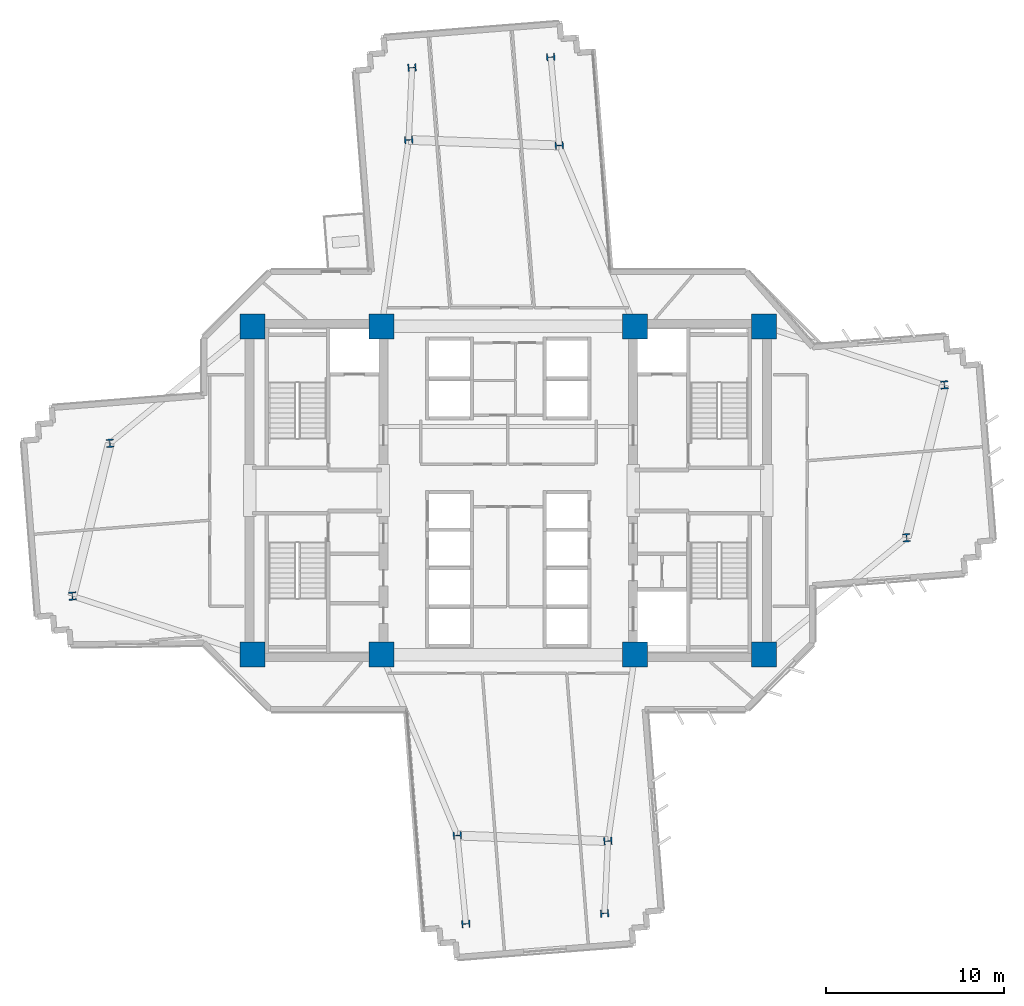
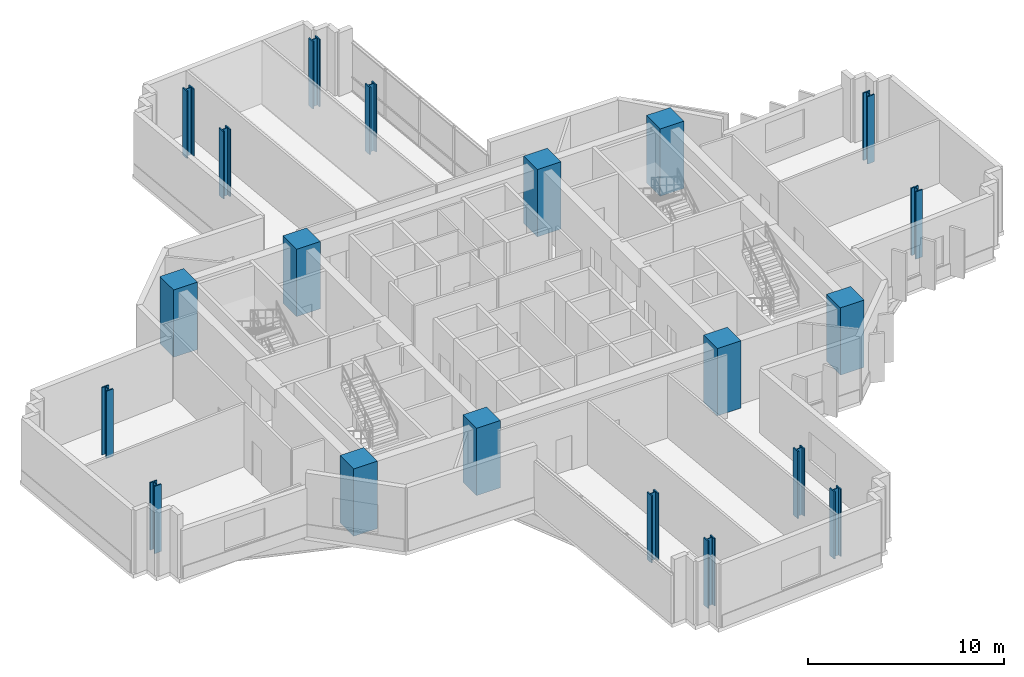
# One storey, part 1 of 15: 20 columns.
"""IFC4 building model written with IfcOpenShell, lengths in metres."""

from ifc_helpers import new_model, si_unit, direction, frame, origin, origin_2d, place, context, subcontext, project, spatial, rectangle, i_section, extrude, source, transform, mapped, material, material_profile, profile_set, type_object, element, save


model = new_model("IFC4")

# Units and contexts
model_context = context("Model", 3, precision=1e-05, world=origin(), true_north=direction((0.0, 1.0)))
body_context = subcontext(model_context, "Body", "Model", "MODEL_VIEW")
ifc_project = project(units=[si_unit("LENGTHUNIT", "METRE"), si_unit("AREAUNIT", "SQUARE_METRE"), si_unit("VOLUMEUNIT", "CUBIC_METRE"), si_unit("PLANEANGLEUNIT", "RADIAN"), si_unit("MASSUNIT", "GRAM", prefix="KILO")], contexts=[model_context])

# Site, building, storey
site_placement = place(None, origin())
site = spatial("IfcSite", under=ifc_project, at=site_placement, CompositionType="ELEMENT")
building_placement = place(site_placement, origin())
building = spatial("IfcBuilding", under=site, at=building_placement, Name="Zahravan Cultural Tower", CompositionType="ELEMENT")
storey_placement = place(building_placement, frame((0.0, 0.0, 83.699951171875)))
storey = spatial("IfcBuildingStorey", under=building, at=storey_placement, Name="L18", CompositionType="ELEMENT", Elevation=83.699951171875)

# Columns
ifc_material_1 = material(Name="Concrete C60/75", Category="concrete")
ifc_material_profile_1 = material_profile(ifc_material_1, rectangle(XDim=1.39990234375, YDim=1.39990234375, at=origin_2d()), Name="RC1400X1400")
ifc_profile_set_1 = profile_set([ifc_material_profile_1], Name="Concrete C60/75")
column_type_1 = type_object("IfcColumnType", Name="COL-RC1400", PredefinedType="COLUMN", material=ifc_profile_set_1)
shared_shape_1 = source(origin(), body_context, "Body", "SweptSolid", [
    extrude(rectangle(XDim=1.39990234375, YDim=1.39990234375, at=origin_2d()), origin(), (0.0, 0.0, 1.0), 4.199951171875),
])
for number, where, z_axis, x_axis, name in (
    (1, (21.64990234375, 17.800048828125, 0.0), (0.0, 0.0, 1.0), (1.0, 0.0, 0.0), "L18 Column CC-W1"),
    (2, (28.89990234375, 17.800048828125, 0.0), (0.0, 0.0, 1.0), (1.0, 0.0, 0.0), "L18 Column CC-W2"),
    (3, (21.64990234375, 36.199951171875, 0.0), (0.0, 0.0, 1.0), (1.0, 0.0, 0.0), "L18 Column CC-W3"),
    (4, (28.89990234375, 36.199951171875, 0.0), (0.0, 0.0, 1.0), (1.0, 0.0, 0.0), "L18 Column CC-W4"),
    (5, (43.10009765625, 17.800048828125, 0.0), (0.0, 0.0, 1.0), (1.0, 0.0, 0.0), "L18 Column CC-E1"),
    (6, (50.35009765625, 17.800048828125, 0.0), (0.0, 0.0, 1.0), (1.0, 0.0, 0.0), "L18 Column CC-E2"),
    (7, (43.10009765625, 36.199951171875, 0.0), (0.0, 0.0, 1.0), (1.0, 0.0, 0.0), "L18 Column CC-E3"),
    (8, (50.35009765625, 36.199951171875, 0.0), (0.0, 0.0, 1.0), (1.0, 0.0, 0.0), "L18 Column CC-E4"),
):
    element("IfcColumn", number, at=place(storey_placement, frame(where, z_axis=z_axis, x_axis=x_axis)), inside=storey, type_object=column_type_1, Name=name, PredefinedType="COLUMN", context=body_context, shape_type="MappedRepresentation", body=[
        mapped(shared_shape_1, transform((0.0, 0.0, 0.0), x_axis=(1.0, 0.0, 0.0), y_axis=(0.0, 1.0, 0.0), z_axis=(0.0, 0.0, 1.0), scale=1.0)),
    ])
ifc_material_2 = material(Name="Steel ASTM A992 Grade 50", Category="steel")
ifc_material_profile_2 = material_profile(ifc_material_2, i_section(OverallWidth=0.4208984375, OverallDepth=0.465087890625, WebThickness=0.044921875, FlangeThickness=0.072509765625, FilletRadius=0.01806640625, at=origin_2d()), Name="W14X398")
ifc_profile_set_2 = profile_set([ifc_material_profile_2], Name="Steel ASTM A992 Grade 50")
column_type_2 = type_object("IfcColumnType", Name="COL-W14X398", PredefinedType="COLUMN", material=ifc_profile_set_2)
shared_shape_2 = source(origin(), body_context, "Body", "SweptSolid", [
    extrude(i_section(OverallWidth=0.4208984375, OverallDepth=0.465087890625, WebThickness=0.044921875, FlangeThickness=0.072509765625, FilletRadius=0.01806640625, at=origin_2d()), origin(), (0.0, 0.0, 1.0), 4.199951171875),
])
for number, where, z_axis, x_axis, name in (
    (9, (58.339111328125, 24.351806640625, 0.0), (0.0, 0.0, 1.0), (0.99756405026, 0.069756473744, 0.0), "L18 Column Z1C-E1"),
    (10, (60.446533203125, 32.919677734375, 0.0), (0.0, 0.0, 1.0), (0.99756405026, 0.069756473744, 0.0), "L18 Column Z1C-E2"),
    (11, (38.857421875, 46.346435546875, 0.0), (0.0, 0.0, 1.0), (-0.069756473744, 0.99756405026, 0.0), "L18 Column Z1C-N1"),
    (12, (30.4150390625, 46.658203125, 0.0), (0.0, 0.0, 1.0), (-0.069756473744, 0.99756405026, 0.0), "L18 Column Z1C-N2"),
    (13, (13.660888671875, 29.648193359375, 0.0), (0.0, 0.0, 1.0), (0.99756405026, 0.069756473744, 0.0), "L18 Column Z1C-W1"),
    (14, (11.553466796875, 21.080322265625, 0.0), (0.0, 0.0, 1.0), (0.99756405026, 0.069756473744, 0.0), "L18 Column Z1C-W2"),
    (15, (33.142578125, 7.653564453125, 0.0), (0.0, 0.0, 1.0), (-0.069756473744, 0.99756405026, 0.0), "L18 Column Z1C-S1"),
    (16, (41.5849609375, 7.341796875, 0.0), (0.0, 0.0, 1.0), (-0.069756473744, 0.99756405026, 0.0), "L18 Column Z1C-S2"),
    (17, (38.379150390625, 51.29736328125, 0.0), (0.0, 0.0, 1.0), (-0.062790519529, 0.998026728428, 0.0), "L18 Column Z1T-N1"),
    (18, (30.6005859375, 50.707763671875, 0.0), (0.0, 0.0, 1.0), (-0.062790519529, 0.998026728428, 0.0), "L18 Column Z1T-N2"),
    (19, (33.620849609375, 2.70263671875, 0.0), (0.0, 0.0, 1.0), (-0.062790519529, 0.998026728428, 0.0), "L18 Column Z1T-S1"),
    (20, (41.3994140625, 3.292236328125, 0.0), (0.0, 0.0, 1.0), (-0.062790519529, 0.998026728428, 0.0), "L18 Column Z1T-S2"),
):
    element("IfcColumn", number, at=place(storey_placement, frame(where, z_axis=z_axis, x_axis=x_axis)), inside=storey, type_object=column_type_2, Name=name, PredefinedType="COLUMN", context=body_context, shape_type="MappedRepresentation", body=[
        mapped(shared_shape_2, transform((0.0, 0.0, 0.0), x_axis=(1.0, 0.0, 0.0), y_axis=(0.0, 1.0, 0.0), z_axis=(0.0, 0.0, 1.0), scale=1.0)),
    ])

save(model, "model.ifc")
